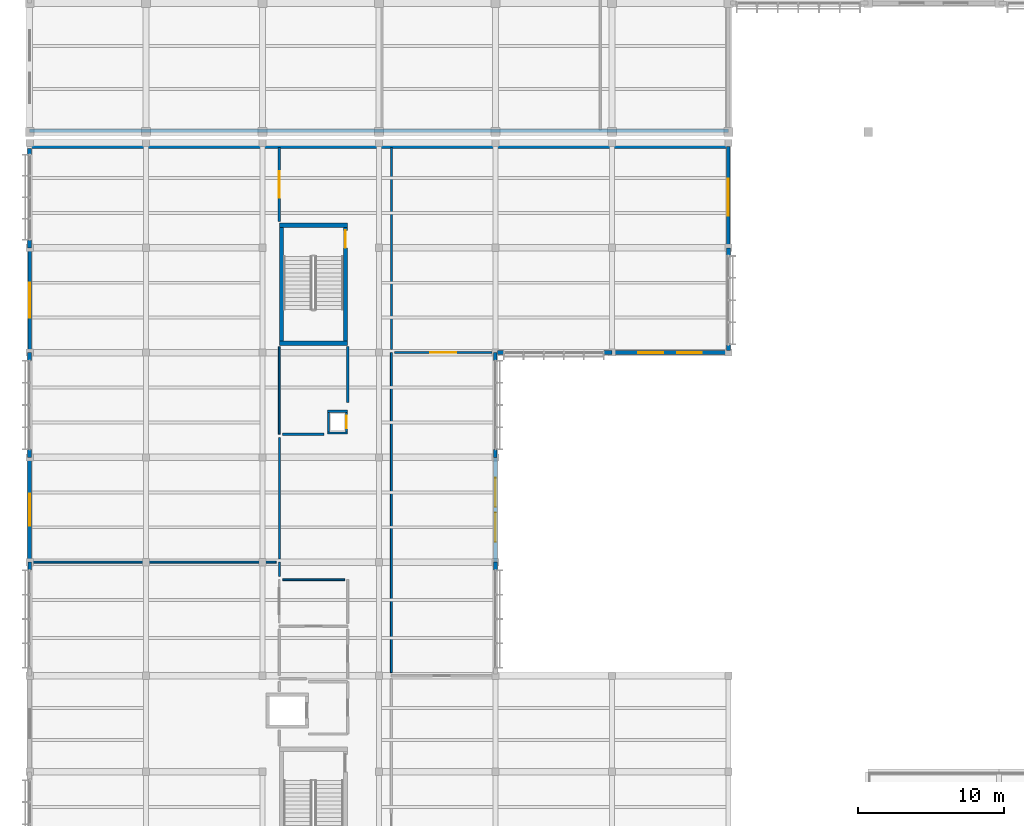
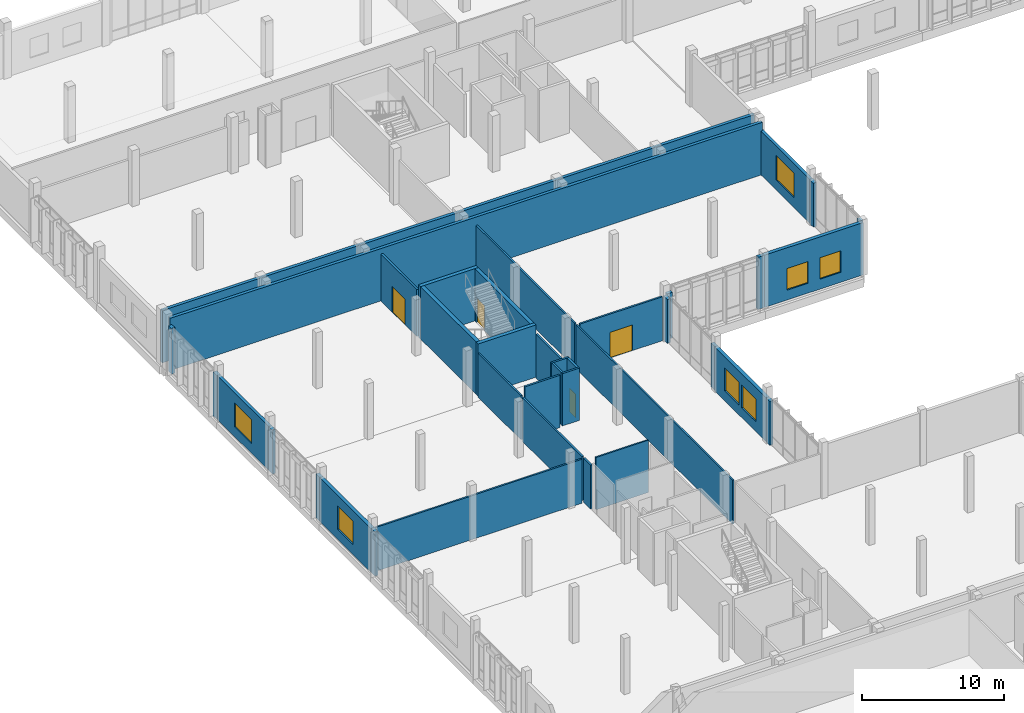
# One storey, part 152 of 177: 38 walls, 7 windows, 4 doors, 11 openings.
"""IFC4 building model written with IfcOpenShell, lengths in metres."""

from ifc_helpers import new_model, si_unit, direction, frame, frame_2d, origin, place, context, subcontext, project, spatial, rectangle, extrude, material, layer, layer_set, type_object, element, fill, save


model = new_model("IFC4")

# Units and contexts
model_context = context("Model", 3, precision=1e-05, world=origin(), true_north=direction((0.0, 1.0)))
body_context = subcontext(model_context, "Body", "Model", "MODEL_VIEW")
ifc_project = project(units=[si_unit("LENGTHUNIT", "METRE"), si_unit("AREAUNIT", "SQUARE_METRE"), si_unit("VOLUMEUNIT", "CUBIC_METRE"), si_unit("PLANEANGLEUNIT", "RADIAN"), si_unit("MASSUNIT", "GRAM", prefix="KILO")], contexts=[model_context])

# Site, building, storey
site_placement = place(None, origin())
site = spatial("IfcSite", under=ifc_project, at=site_placement, CompositionType="ELEMENT")
building_placement = place(site_placement, origin())
building = spatial("IfcBuilding", under=site, at=building_placement, Name="Chiffa Square Polytechnic", CompositionType="ELEMENT")
storey_placement = place(building_placement, frame((0.0, 0.0, 4.800048828125)))
storey = spatial("IfcBuildingStorey", under=building, at=storey_placement, Name="L01", CompositionType="ELEMENT", Elevation=4.800048828125)

# Walls
ifc_material_1 = material(Name="Concrete C40/50", Category="concrete")
ifc_layer_1 = layer(ifc_material_1, 0.300048828125, Name="Concrete C40/50")
ifc_layer_set_1 = layer_set([ifc_layer_1], Name="Concrete C40/50")
wall_type_1 = type_object("IfcWallType", Name="WL-CORE-300", PredefinedType="SHEAR", material=ifc_layer_set_1)
for number, where, z_axis, x_axis, name in (
    (1, (17.14990234375, 80.449951171875, 0.0), (0.0, 0.0, 1.0), (1.0, 0.0, 0.0), "Core or enclosure wall WC-CORE-V6B-L01-SOUTH"),
    (2, (17.14990234375, 88.550048828125, 0.0), (0.0, 0.0, 1.0), (1.0, 0.0, 0.0), "Core or enclosure wall WC-CORE-V6B-L01-NORTH"),
):
    element("IfcWall", number, at=place(storey_placement, frame(where, z_axis=z_axis, x_axis=x_axis)), inside=storey, type_object=wall_type_1, Name=name, PredefinedType="SHEAR", context=body_context, shape_type="SweptSolid", body=[
        extrude(rectangle(XDim=4.7001953125, YDim=0.300048828125, at=frame_2d((2.35009765625, 0.0))), origin(), (0.0, 0.0, 1.0), 4.47998046875),
    ])
wall_1_placement = place(storey_placement, frame((17.300048828125, 80.60009765625, 0.0), z_axis=(0.0, 0.0, 1.0), x_axis=(0.0, 1.0, 0.0)))
element("IfcWall", 3, at=wall_1_placement, inside=storey, type_object=wall_type_1, Name="Core or enclosure wall WC-CORE-V6B-L01-WEST", PredefinedType="SHEAR", context=body_context, shape_type="SweptSolid", body=[
    extrude(rectangle(XDim=7.7998046875, YDim=0.300048828125, at=frame_2d((3.89990234375, 0.0))), origin(), (0.0, 0.0, 1.0), 4.47998046875),
])

# Wall, opening, door
wall_2_placement = place(storey_placement, frame((21.699951171875, 80.60009765625, 0.0), z_axis=(0.0, 0.0, 1.0), x_axis=(0.0, 1.0, 0.0)))
wall_2 = element("IfcWall", 4, at=wall_2_placement, inside=storey, type_object=wall_type_1, Name="Core or enclosure wall WC-CORE-V6B-L01-EAST", PredefinedType="SHEAR", context=body_context, shape_type="SweptSolid", body=[
    extrude(rectangle(XDim=7.7998046875, YDim=0.300048828125, at=frame_2d((3.89990234375, 0.0))), origin(), (0.0, 0.0, 1.0), 4.47998046875),
])
opening_1_placement = place(wall_2_placement, frame((6.39990234375, 0.0, 0.0)))
opening_1 = element("IfcOpeningElement", 5, at=opening_1_placement, cuts=wall_2, Name="Opening DS-L01-052", PredefinedType="OPENING", context=body_context, shape_type="SweptSolid", body=[
    extrude(rectangle(XDim=1.199951171875, YDim=2.14990234375, at=frame_2d((0.60009765625, 1.074951171875))), frame((0.0, 0.16015625, 0.0), z_axis=(0.0, -1.0, 0.0), x_axis=(1.0, 0.0, 0.0)), (0.0, 0.0, 1.0), 0.320068359375),
])
ifc_material_2 = material(Name="Fire-rated painted steel leaf", Category="steel")
door_type_1 = type_object("IfcDoorType", Name="DR-STAIR-1200", OperationType="NOTDEFINED", PredefinedType="DOOR", material=ifc_material_2)
door_1_placement = place(opening_1_placement, origin())
door_1 = element("IfcDoor", 6, at=door_1_placement, inside=storey, type_object=door_type_1, Name="Enclosure door DS-L01-052", OperationType="SINGLE_SWING_RIGHT", OverallHeight=2.14990234375, OverallWidth=1.199951171875, PredefinedType="DOOR", context=body_context, shape_type="SweptSolid", body=[
    extrude(rectangle(XDim=1.199951171875, YDim=2.14990234375, at=frame_2d((0.60009765625, 1.074951171875))), frame((0.0, 0.02490234375, 0.0), z_axis=(0.0, -1.0, 0.0), x_axis=(1.0, 0.0, 0.0)), (0.0, 0.0, 1.0), 0.050048828125),
])
fill(opening_1, door_1)

# Walls
ifc_material_3 = material(Name="Precast concrete C40/50", Category="concrete")
ifc_layer_2 = layer(ifc_material_3, 0.239990234375, Name="Precast concrete C40/50")
ifc_layer_set_2 = layer_set([ifc_layer_2], Name="Precast concrete C40/50")
wall_type_2 = type_object("IfcWallType", Name="WL-EXT-PC240", PredefinedType="SOLIDWALL", material=ifc_layer_set_2)
wall_3_placement = place(storey_placement, frame((32.0, 72.60009765625, 0.0), z_axis=(0.0, 0.0, 1.0), x_axis=(0.0, 1.0, 0.0)))
element("IfcWall", 7, at=wall_3_placement, inside=storey, type_object=wall_type_2, Name="Facade column pier V6-L01-0414L", PredefinedType="SOLIDWALL", context=body_context, shape_type="SweptSolid", body=[
    extrude(rectangle(XDim=0.539794921875, YDim=0.239990234375, at=frame_2d((0.27001953125, 0.0))), origin(), (0.0, 0.0, 1.0), 3.764892578125),
])
wall_4_placement = place(storey_placement, frame((32.0, 79.260009765625, 0.0), z_axis=(0.0, 0.0, 1.0), x_axis=(0.0, 1.0, 0.0)))
element("IfcWall", 8, at=wall_4_placement, inside=storey, type_object=wall_type_2, Name="Facade column pier V6-L01-0414R", PredefinedType="SOLIDWALL", context=body_context, shape_type="SweptSolid", body=[
    extrude(rectangle(XDim=0.5400390625, YDim=0.239990234375, at=frame_2d((0.27001953125, 0.0))), origin(), (0.0, 0.0, 1.0), 3.764892578125),
])

# Wall, opening, window
wall_5_placement = place(storey_placement, frame((48.0, 87.0, 0.0), z_axis=(0.0, 0.0, 1.0), x_axis=(0.0, 1.0, 0.0)))
wall_5 = element("IfcWall", 9, at=wall_5_placement, inside=storey, type_object=wall_type_2, Name="Exterior wall WE-V6-L01-0418", PredefinedType="SOLIDWALL", context=body_context, shape_type="SweptSolid", body=[
    extrude(rectangle(XDim=6.949951171875, YDim=0.239990234375, at=frame_2d((3.47509765625, 0.0))), origin(), (0.0, 0.0, 1.0), 3.764892578125),
])
opening_2_placement = place(wall_5_placement, frame((2.199951171875, 0.0, 0.85009765625)))
opening_2 = element("IfcOpeningElement", 10, at=opening_2_placement, cuts=wall_5, Name="Opening W-09", PredefinedType="OPENING", context=body_context, shape_type="SweptSolid", body=[
    extrude(rectangle(XDim=2.550048828125, YDim=2.10009765625, at=frame_2d((1.27490234375, 1.050048828125))), frame((0.0, 0.1298828125, 0.0), z_axis=(0.0, -1.0, 0.0), x_axis=(1.0, 0.0, 0.0)), (0.0, 0.0, 1.0), 0.260009765625),
])
ifc_material_4 = material(Name="Double glazing in thermally broken aluminium frame", Category="aluminium")
window_type_1 = type_object("IfcWindowType", Name="WIN-STD-2550X2100", PartitioningType="DOUBLE_PANEL_VERTICAL", PredefinedType="WINDOW", material=ifc_material_4)
window_1_placement = place(opening_2_placement, origin())
window_1 = element("IfcWindow", 11, at=window_1_placement, inside=storey, type_object=window_type_1, Name="Facade window WN-L01-0281", OverallHeight=2.10009765625, OverallWidth=2.550048828125, PartitioningType="DOUBLE_PANEL_VERTICAL", PredefinedType="WINDOW", context=body_context, shape_type="SweptSolid", body=[
    extrude(rectangle(XDim=2.550048828125, YDim=2.10009765625, at=frame_2d((1.27490234375, 1.050048828125))), frame((0.0, 0.030029296875, 0.0), z_axis=(0.0, -1.0, 0.0), x_axis=(1.0, 0.0, 0.0)), (0.0, 0.0, 1.0), 0.06005859375),
])
fill(opening_2, window_1)

wall_6_placement = place(storey_placement, frame((0.0, 87.0, 0.0), z_axis=(0.0, 0.0, 1.0), x_axis=(0.0, -1.0, 0.0)))
wall_6 = element("IfcWall", 12, at=wall_6_placement, inside=storey, type_object=wall_type_2, Name="Exterior wall WE-V6-L01-0421", PredefinedType="SOLIDWALL", context=body_context, shape_type="SweptSolid", body=[
    extrude(rectangle(XDim=7.199951171875, YDim=0.239990234375, at=frame_2d((3.60009765625, 0.0))), origin(), (0.0, 0.0, 1.0), 3.764892578125),
])
opening_3_placement = place(wall_6_placement, frame((2.39990234375, 0.0, 0.85009765625)))
opening_3 = element("IfcOpeningElement", 13, at=opening_3_placement, cuts=wall_6, Name="Opening W-10", PredefinedType="OPENING", context=body_context, shape_type="SweptSolid", body=[
    extrude(rectangle(XDim=2.39990234375, YDim=2.050048828125, at=frame_2d((1.199951171875, 1.02490234375))), frame((0.0, 0.1298828125, 0.0), z_axis=(0.0, -1.0, 0.0), x_axis=(1.0, 0.0, 0.0)), (0.0, 0.0, 1.0), 0.260009765625),
])
window_type_2 = type_object("IfcWindowType", Name="WIN-STD-2400X2050", PartitioningType="DOUBLE_PANEL_VERTICAL", PredefinedType="WINDOW", material=ifc_material_4)
window_2_placement = place(opening_3_placement, origin())
window_2 = element("IfcWindow", 14, at=window_2_placement, inside=storey, type_object=window_type_2, Name="Facade window WN-L01-0282", OverallHeight=2.050048828125, OverallWidth=2.39990234375, PartitioningType="DOUBLE_PANEL_VERTICAL", PredefinedType="WINDOW", context=body_context, shape_type="SweptSolid", body=[
    extrude(rectangle(XDim=2.39990234375, YDim=2.050048828125, at=frame_2d((1.199951171875, 1.02490234375))), frame((0.0, 0.030029296875, 0.0), z_axis=(0.0, -1.0, 0.0), x_axis=(1.0, 0.0, 0.0)), (0.0, 0.0, 1.0), 0.06005859375),
])
fill(opening_3, window_2)

# Walls
wall_7_placement = place(storey_placement, frame((0.0, 65.39990234375, 0.0), z_axis=(0.0, 0.0, 1.0), x_axis=(0.0, -1.0, 0.0)))
element("IfcWall", 15, at=wall_7_placement, inside=storey, type_object=wall_type_2, Name="Facade column pier V6-L01-0424L", PredefinedType="SOLIDWALL", context=body_context, shape_type="SweptSolid", body=[
    extrude(rectangle(XDim=0.539794921875, YDim=0.239990234375, at=frame_2d((0.27001953125, 0.0))), origin(), (0.0, 0.0, 1.0), 3.764892578125),
])
ifc_layer_3 = layer(ifc_material_3, 0.260009765625, Name="Precast concrete C40/50")
ifc_layer_set_3 = layer_set([ifc_layer_3], Name="Precast concrete C40/50")
wall_type_3 = type_object("IfcWallType", Name="WL-EXT-PC260", PredefinedType="SOLIDWALL", material=ifc_layer_set_3)
wall_8_placement = place(storey_placement, frame((32.0, 64.860107421875, 0.0), z_axis=(0.0, 0.0, 1.0), x_axis=(0.0, 1.0, 0.0)))
element("IfcWall", 16, at=wall_8_placement, inside=storey, type_object=wall_type_3, Name="Facade column pier V6-L01-0412R", PredefinedType="SOLIDWALL", context=body_context, shape_type="SweptSolid", body=[
    extrude(rectangle(XDim=0.539794921875, YDim=0.260009765625, at=frame_2d((0.27001953125, 0.0))), origin(), (0.0, 0.0, 1.0), 3.764892578125),
])
wall_9_placement = place(storey_placement, frame((32.1220703125, 79.800048828125, 0.0), z_axis=(0.0, 0.0, 1.0), x_axis=(1.0, 0.0, 0.0)))
element("IfcWall", 17, at=wall_9_placement, inside=storey, type_object=wall_type_3, Name="Facade column pier V6-L01-0415L", PredefinedType="SOLIDWALL", context=body_context, shape_type="SweptSolid", body=[
    extrude(rectangle(XDim=0.41796875, YDim=0.260009765625, at=frame_2d((0.208984375, 0.0))), origin(), (0.0, 0.0, 1.0), 3.9150390625),
])
wall_10_placement = place(storey_placement, frame((39.4599609375, 79.800048828125, 0.0), z_axis=(0.0, 0.0, 1.0), x_axis=(1.0, 0.0, 0.0)))
element("IfcWall", 18, at=wall_10_placement, inside=storey, type_object=wall_type_3, Name="Facade column pier V6-L01-0415R", PredefinedType="SOLIDWALL", context=body_context, shape_type="SweptSolid", body=[
    extrude(rectangle(XDim=0.5400390625, YDim=0.260009765625, at=frame_2d((0.27001953125, 0.0))), origin(), (0.0, 0.0, 1.0), 4.47998046875),
])
wall_11_placement = place(storey_placement, frame((0.0, 79.800048828125, 0.0), z_axis=(0.0, 0.0, 1.0), x_axis=(0.0, -1.0, 0.0)))
element("IfcWall", 19, at=wall_11_placement, inside=storey, type_object=wall_type_3, Name="Facade column pier V6-L01-0422L", PredefinedType="SOLIDWALL", context=body_context, shape_type="SweptSolid", body=[
    extrude(rectangle(XDim=0.5400390625, YDim=0.260009765625, at=frame_2d((0.27001953125, 0.0))), origin(), (0.0, 0.0, 1.0), 3.764892578125),
])
wall_12_placement = place(storey_placement, frame((0.0, 73.139892578125, 0.0), z_axis=(0.0, 0.0, 1.0), x_axis=(0.0, -1.0, 0.0)))
element("IfcWall", 20, at=wall_12_placement, inside=storey, type_object=wall_type_3, Name="Facade column pier V6-L01-0422R", PredefinedType="SOLIDWALL", context=body_context, shape_type="SweptSolid", body=[
    extrude(rectangle(XDim=0.539794921875, YDim=0.260009765625, at=frame_2d((0.27001953125, 0.0))), origin(), (0.0, 0.0, 1.0), 3.764892578125),
])

# Wall, openings, windows
ifc_layer_4 = layer(ifc_material_3, 0.280029296875, Name="Precast concrete C40/50")
ifc_layer_set_4 = layer_set([ifc_layer_4], Name="Precast concrete C40/50")
wall_type_4 = type_object("IfcWallType", Name="WL-EXT-PC280", PredefinedType="SOLIDWALL", material=ifc_layer_set_4)
wall_13_placement = place(storey_placement, frame((32.0, 65.39990234375, 0.0), z_axis=(0.0, 0.0, 1.0), x_axis=(0.0, 1.0, 0.0)))
wall_13 = element("IfcWall", 21, at=wall_13_placement, inside=storey, type_object=wall_type_4, Name="Exterior wall WE-V6-L01-0413", PredefinedType="SOLIDWALL", context=body_context, shape_type="SweptSolid", body=[
    extrude(rectangle(XDim=7.2001953125, YDim=0.280029296875, at=frame_2d((3.60009765625, 0.0))), origin(), (0.0, 0.0, 1.0), 3.764892578125),
])
opening_4_placement = place(wall_13_placement, frame((1.39990234375, 0.0, 0.85009765625)))
opening_4 = element("IfcOpeningElement", 22, at=opening_4_placement, cuts=wall_13, Name="Opening W-12", PredefinedType="OPENING", context=body_context, shape_type="SweptSolid", body=[
    extrude(rectangle(XDim=2.0, YDim=1.949951171875, at=frame_2d((1.0, 0.97509765625))), frame((0.0, 0.14990234375, 0.0), z_axis=(0.0, -1.0, 0.0), x_axis=(1.0, 0.0, 0.0)), (0.0, 0.0, 1.0), 0.300048828125),
])
opening_5_placement = place(wall_13_placement, frame((3.800048828125, 0.0, 0.85009765625)))
opening_5 = element("IfcOpeningElement", 23, at=opening_5_placement, cuts=wall_13, Name="Opening W-12", PredefinedType="OPENING", context=body_context, shape_type="SweptSolid", body=[
    extrude(rectangle(XDim=2.0, YDim=1.949951171875, at=frame_2d((1.0, 0.97509765625))), frame((0.0, 0.14990234375, 0.0), z_axis=(0.0, -1.0, 0.0), x_axis=(1.0, 0.0, 0.0)), (0.0, 0.0, 1.0), 0.300048828125),
])
window_type_3 = type_object("IfcWindowType", Name="WIN-STD-2000X1950", PartitioningType="DOUBLE_PANEL_VERTICAL", PredefinedType="WINDOW", material=ifc_material_4)
window_3_placement = place(opening_4_placement, origin())
window_3 = element("IfcWindow", 24, at=window_3_placement, inside=storey, type_object=window_type_3, Name="Facade window WN-L01-0277", OverallHeight=1.949951171875, OverallWidth=2.0, PartitioningType="DOUBLE_PANEL_VERTICAL", PredefinedType="WINDOW", context=body_context, shape_type="SweptSolid", body=[
    extrude(rectangle(XDim=2.0, YDim=1.949951171875, at=frame_2d((1.0, 0.97509765625))), frame((0.0, 0.030029296875, 0.0), z_axis=(0.0, -1.0, 0.0), x_axis=(1.0, 0.0, 0.0)), (0.0, 0.0, 1.0), 0.06005859375),
])
fill(opening_4, window_3)
window_4_placement = place(opening_5_placement, origin())
window_4 = element("IfcWindow", 25, at=window_4_placement, inside=storey, type_object=window_type_3, Name="Facade window WN-L01-0278", OverallHeight=1.949951171875, OverallWidth=2.0, PartitioningType="DOUBLE_PANEL_VERTICAL", PredefinedType="WINDOW", context=body_context, shape_type="SweptSolid", body=[
    extrude(rectangle(XDim=2.0, YDim=1.949951171875, at=frame_2d((1.0, 0.97509765625))), frame((0.0, 0.030029296875, 0.0), z_axis=(0.0, -1.0, 0.0), x_axis=(1.0, 0.0, 0.0)), (0.0, 0.0, 1.0), 0.06005859375),
])
fill(opening_5, window_4)

wall_14_placement = place(storey_placement, frame((40.0, 79.800048828125, 0.0), z_axis=(0.0, 0.0, 1.0), x_axis=(1.0, 0.0, 0.0)))
wall_14 = element("IfcWall", 26, at=wall_14_placement, inside=storey, type_object=wall_type_4, Name="Exterior wall WE-V6-L01-0416", PredefinedType="SOLIDWALL", context=body_context, shape_type="SweptSolid", body=[
    extrude(rectangle(XDim=8.0, YDim=0.280029296875, at=frame_2d((4.0, 0.0))), origin(), (0.0, 0.0, 1.0), 4.47998046875),
])
opening_6_placement = place(wall_14_placement, frame((1.81689453125, 0.0, 0.85009765625)))
opening_6 = element("IfcOpeningElement", 27, at=opening_6_placement, cuts=wall_14, Name="Opening W-14", PredefinedType="OPENING", context=body_context, shape_type="SweptSolid", body=[
    extrude(rectangle(XDim=1.699951171875, YDim=1.85009765625, at=frame_2d((0.85009765625, 0.925048828125))), frame((0.0, 0.14990234375, 0.0), z_axis=(0.0, -1.0, 0.0), x_axis=(1.0, 0.0, 0.0)), (0.0, 0.0, 1.0), 0.300048828125),
])
opening_7_placement = place(wall_14_placement, frame((4.48291015625, 0.0, 0.85009765625)))
opening_7 = element("IfcOpeningElement", 28, at=opening_7_placement, cuts=wall_14, Name="Opening W-14", PredefinedType="OPENING", context=body_context, shape_type="SweptSolid", body=[
    extrude(rectangle(XDim=1.699951171875, YDim=1.85009765625, at=frame_2d((0.85009765625, 0.925048828125))), frame((0.0, 0.14990234375, 0.0), z_axis=(0.0, -1.0, 0.0), x_axis=(1.0, 0.0, 0.0)), (0.0, 0.0, 1.0), 0.300048828125),
])
window_type_4 = type_object("IfcWindowType", Name="WIN-STD-1700X1850", PartitioningType="DOUBLE_PANEL_VERTICAL", PredefinedType="WINDOW", material=ifc_material_4)
window_5_placement = place(opening_6_placement, origin())
window_5 = element("IfcWindow", 29, at=window_5_placement, inside=storey, type_object=window_type_4, Name="Facade window WN-L01-0279", OverallHeight=1.85009765625, OverallWidth=1.699951171875, PartitioningType="DOUBLE_PANEL_VERTICAL", PredefinedType="WINDOW", context=body_context, shape_type="SweptSolid", body=[
    extrude(rectangle(XDim=1.699951171875, YDim=1.85009765625, at=frame_2d((0.85009765625, 0.925048828125))), frame((0.0, 0.030029296875, 0.0), z_axis=(0.0, -1.0, 0.0), x_axis=(1.0, 0.0, 0.0)), (0.0, 0.0, 1.0), 0.06005859375),
])
fill(opening_6, window_5)
window_6_placement = place(opening_7_placement, origin())
window_6 = element("IfcWindow", 30, at=window_6_placement, inside=storey, type_object=window_type_4, Name="Facade window WN-L01-0280", OverallHeight=1.85009765625, OverallWidth=1.699951171875, PartitioningType="DOUBLE_PANEL_VERTICAL", PredefinedType="WINDOW", context=body_context, shape_type="SweptSolid", body=[
    extrude(rectangle(XDim=1.699951171875, YDim=1.85009765625, at=frame_2d((0.85009765625, 0.925048828125))), frame((0.0, 0.030029296875, 0.0), z_axis=(0.0, -1.0, 0.0), x_axis=(1.0, 0.0, 0.0)), (0.0, 0.0, 1.0), 0.06005859375),
])
fill(opening_7, window_6)

# Walls
wall_15_placement = place(storey_placement, frame((48.0, 79.94189453125, 0.0), z_axis=(0.0, 0.0, 1.0), x_axis=(0.0, 1.0, 0.0)))
element("IfcWall", 31, at=wall_15_placement, inside=storey, type_object=wall_type_4, Name="Facade column pier V6-L01-0417L", PredefinedType="SOLIDWALL", context=body_context, shape_type="SweptSolid", body=[
    extrude(rectangle(XDim=0.398193359375, YDim=0.280029296875, at=frame_2d((0.19921875, 0.0))), origin(), (0.0, 0.0, 1.0), 4.47998046875),
])
wall_16_placement = place(storey_placement, frame((48.0, 86.4599609375, 0.0), z_axis=(0.0, 0.0, 1.0), x_axis=(0.0, 1.0, 0.0)))
element("IfcWall", 32, at=wall_16_placement, inside=storey, type_object=wall_type_4, Name="Facade column pier V6-L01-0417R", PredefinedType="SOLIDWALL", context=body_context, shape_type="SweptSolid", body=[
    extrude(rectangle(XDim=0.5400390625, YDim=0.280029296875, at=frame_2d((0.27001953125, 0.0))), origin(), (0.0, 0.0, 1.0), 3.764892578125),
])
wall_17_placement = place(storey_placement, frame((0.0, 93.822998046875, 0.0), z_axis=(0.0, 0.0, 1.0), x_axis=(0.0, -1.0, 0.0)))
element("IfcWall", 33, at=wall_17_placement, inside=storey, type_object=wall_type_4, Name="Facade column pier V6-L01-0420L", PredefinedType="SOLIDWALL", context=body_context, shape_type="SweptSolid", body=[
    extrude(rectangle(XDim=0.4130859375, YDim=0.280029296875, at=frame_2d((0.20654296875, 0.0))), origin(), (0.0, 0.0, 1.0), 3.9150390625),
])
wall_18_placement = place(storey_placement, frame((0.0, 87.5400390625, 0.0), z_axis=(0.0, 0.0, 1.0), x_axis=(0.0, -1.0, 0.0)))
element("IfcWall", 34, at=wall_18_placement, inside=storey, type_object=wall_type_4, Name="Facade column pier V6-L01-0420R", PredefinedType="SOLIDWALL", context=body_context, shape_type="SweptSolid", body=[
    extrude(rectangle(XDim=0.5400390625, YDim=0.280029296875, at=frame_2d((0.27001953125, 0.0))), origin(), (0.0, 0.0, 1.0), 3.764892578125),
])

# Wall, opening, window
wall_19_placement = place(storey_placement, frame((0.0, 72.60009765625, 0.0), z_axis=(0.0, 0.0, 1.0), x_axis=(0.0, -1.0, 0.0)))
wall_19 = element("IfcWall", 35, at=wall_19_placement, inside=storey, type_object=wall_type_4, Name="Exterior wall WE-V6-L01-0423", PredefinedType="SOLIDWALL", context=body_context, shape_type="SweptSolid", body=[
    extrude(rectangle(XDim=7.2001953125, YDim=0.280029296875, at=frame_2d((3.60009765625, 0.0))), origin(), (0.0, 0.0, 1.0), 3.764892578125),
])
opening_8_placement = place(wall_19_placement, frame((2.5, 0.0, 0.85009765625)))
opening_8 = element("IfcOpeningElement", 36, at=opening_8_placement, cuts=wall_19, Name="Opening W-11", PredefinedType="OPENING", context=body_context, shape_type="SweptSolid", body=[
    extrude(rectangle(XDim=2.199951171875, YDim=2.0, at=frame_2d((1.10009765625, 1.0))), frame((0.0, 0.14990234375, 0.0), z_axis=(0.0, -1.0, 0.0), x_axis=(1.0, 0.0, 0.0)), (0.0, 0.0, 1.0), 0.300048828125),
])
window_type_5 = type_object("IfcWindowType", Name="WIN-STD-2200X2000", PartitioningType="DOUBLE_PANEL_VERTICAL", PredefinedType="WINDOW", material=ifc_material_4)
window_7_placement = place(opening_8_placement, origin())
window_7 = element("IfcWindow", 37, at=window_7_placement, inside=storey, type_object=window_type_5, Name="Facade window WN-L01-0283", OverallHeight=2.0, OverallWidth=2.199951171875, PartitioningType="DOUBLE_PANEL_VERTICAL", PredefinedType="WINDOW", context=body_context, shape_type="SweptSolid", body=[
    extrude(rectangle(XDim=2.199951171875, YDim=2.0, at=frame_2d((1.10009765625, 1.0))), frame((0.0, 0.030029296875, 0.0), z_axis=(0.0, -1.0, 0.0), x_axis=(1.0, 0.0, 0.0)), (0.0, 0.0, 1.0), 0.06005859375),
])
fill(opening_8, window_7)

# Walls
ifc_material_5 = material(Name="Gypsum board on steel stud", Category="steel")
ifc_layer_5 = layer(ifc_material_5, 0.125, Name="Gypsum board on steel stud")
ifc_layer_set_5 = layer_set([ifc_layer_5], Name="Gypsum board on steel stud")
wall_type_5 = type_object("IfcWallType", Name="WL-PART-125", PredefinedType="PARTITIONING", material=ifc_layer_set_5)
wall_20_placement = place(storey_placement, frame((24.85009765625, 57.820068359375, 0.0), z_axis=(0.0, 0.0, 1.0), x_axis=(0.0, 1.0, 0.0)))
element("IfcWall", 38, at=wall_20_placement, inside=storey, type_object=wall_type_5, Name="Interior partition WP-V6-L01-0305", PredefinedType="PARTITIONING", context=body_context, shape_type="SweptSolid", body=[
    extrude(rectangle(XDim=21.97998046875, YDim=0.125, at=frame_2d((10.989990234375, 0.0))), origin(), (0.0, 0.0, 1.0), 3.764892578125),
])
wall_21_placement = place(storey_placement, frame((17.14990234375, 74.199951171875, 0.0), z_axis=(0.0, 0.0, 1.0), x_axis=(0.0, 1.0, 0.0)))
element("IfcWall", 39, at=wall_21_placement, inside=storey, type_object=wall_type_5, Name="Interior partition WP-V6-L01-0347", PredefinedType="PARTITIONING", context=body_context, shape_type="SweptSolid", body=[
    extrude(rectangle(XDim=6.010009765625, YDim=0.125, at=frame_2d((3.0048828125, 0.0))), origin(), (0.0, 0.0, 1.0), 3.764892578125),
])
ifc_layer_6 = layer(ifc_material_5, 0.135009765625, Name="Gypsum board on steel stud")
ifc_layer_set_6 = layer_set([ifc_layer_6], Name="Gypsum board on steel stud")
wall_type_6 = type_object("IfcWallType", Name="WL-PART-135", PredefinedType="PARTITIONING", material=ifc_layer_set_6)
wall_22_placement = place(storey_placement, frame((0.054931640625, 65.39990234375, 0.0), z_axis=(0.0, 0.0, 1.0), x_axis=(1.0, 0.0, 0.0)))
element("IfcWall", 40, at=wall_22_placement, inside=storey, type_object=wall_type_6, Name="Interior partition WP-V6-L01-0346", PredefinedType="PARTITIONING", context=body_context, shape_type="SweptSolid", body=[
    extrude(rectangle(XDim=16.875, YDim=0.135009765625, at=frame_2d((8.4375, 0.0))), origin(), (0.0, 0.0, 1.0), 3.764892578125),
])

# Wall, opening, door
ifc_layer_7 = layer(ifc_material_5, 0.14501953125, Name="Gypsum board on steel stud")
ifc_layer_set_7 = layer_set([ifc_layer_7], Name="Gypsum board on steel stud")
wall_type_7 = type_object("IfcWallType", Name="WL-PART-145", PredefinedType="PARTITIONING", material=ifc_layer_set_7)
wall_23_placement = place(storey_placement, frame((25.070068359375, 79.800048828125, 0.0), z_axis=(0.0, 0.0, 1.0), x_axis=(1.0, 0.0, 0.0)))
wall_23 = element("IfcWall", 41, at=wall_23_placement, inside=storey, type_object=wall_type_7, Name="Interior partition WP-V6-L01-0306", PredefinedType="PARTITIONING", context=body_context, shape_type="SweptSolid", body=[
    extrude(rectangle(XDim=6.68994140625, YDim=0.14501953125, at=frame_2d((3.344970703125, 0.0))), origin(), (0.0, 0.0, 1.0), 3.764892578125),
])
opening_9_placement = place(wall_23_placement, frame((2.445068359375, 0.0, 0.0)))
opening_9 = element("IfcOpeningElement", 42, at=opening_9_placement, cuts=wall_23, Name="Opening DI-L01-138", PredefinedType="OPENING", context=body_context, shape_type="SweptSolid", body=[
    extrude(rectangle(XDim=1.800048828125, YDim=2.199951171875, at=frame_2d((0.89990234375, 1.10009765625))), frame((0.0, 0.08251953125, 0.0), z_axis=(0.0, -1.0, 0.0), x_axis=(1.0, 0.0, 0.0)), (0.0, 0.0, 1.0), 0.1650390625),
])
ifc_material_6 = material(Name="Solid oak fire door pair")
door_type_2 = type_object("IfcDoorType", Name="DR-CORR-DBL-1800", OperationType="DOUBLE_DOOR_SINGLE_SWING", PredefinedType="DOOR", material=ifc_material_6)
door_2_placement = place(opening_9_placement, origin())
door_2 = element("IfcDoor", 43, at=door_2_placement, inside=storey, type_object=door_type_2, Name="Interior room door DI-L01-138", OperationType="DOUBLE_DOOR_SINGLE_SWING", OverallHeight=2.199951171875, OverallWidth=1.800048828125, PredefinedType="DOOR", context=body_context, shape_type="SweptSolid", body=[
    extrude(rectangle(XDim=1.800048828125, YDim=2.199951171875, at=frame_2d((0.89990234375, 1.10009765625))), frame((0.0, 0.02490234375, 0.0), z_axis=(0.0, -1.0, 0.0), x_axis=(1.0, 0.0, 0.0)), (0.0, 0.0, 1.0), 0.050048828125),
])
fill(opening_9, door_2)

# Walls
wall_24_placement = place(storey_placement, frame((24.85009765625, 80.02001953125, 0.0), z_axis=(0.0, 0.0, 1.0), x_axis=(0.0, 1.0, 0.0)))
element("IfcWall", 44, at=wall_24_placement, inside=storey, type_object=wall_type_7, Name="Interior partition WP-V6-L01-0327", PredefinedType="PARTITIONING", context=body_context, shape_type="SweptSolid", body=[
    extrude(rectangle(XDim=13.875, YDim=0.14501953125, at=frame_2d((6.9375, 0.0))), origin(), (0.0, 0.0, 1.0), 3.764892578125),
])
wall_25_placement = place(storey_placement, frame((17.14990234375, 64.419921875, 0.0), z_axis=(0.0, 0.0, 1.0), x_axis=(0.0, 1.0, 0.0)))
element("IfcWall", 45, at=wall_25_placement, inside=storey, type_object=wall_type_7, Name="Interior partition WP-V6-L01-0342", PredefinedType="PARTITIONING", context=body_context, shape_type="SweptSolid", body=[
    extrude(rectangle(XDim=0.97998046875, YDim=0.14501953125, at=frame_2d((0.489990234375, 0.0))), origin(), (0.0, 0.0, 1.0), 3.764892578125),
])
wall_26_placement = place(storey_placement, frame((17.14990234375, 65.6201171875, 0.0), z_axis=(0.0, 0.0, 1.0), x_axis=(0.0, 1.0, 0.0)))
element("IfcWall", 46, at=wall_26_placement, inside=storey, type_object=wall_type_7, Name="Interior partition WP-V6-L01-0348", PredefinedType="PARTITIONING", context=body_context, shape_type="SweptSolid", body=[
    extrude(rectangle(XDim=8.35986328125, YDim=0.14501953125, at=frame_2d((4.179931640625, 0.0))), origin(), (0.0, 0.0, 1.0), 3.764892578125),
])
ifc_material_7 = material(Name="Gypsum board on acoustic steel stud", Category="steel")
ifc_layer_8 = layer(ifc_material_7, 0.159912109375, Name="Gypsum board on acoustic steel stud")
ifc_layer_set_8 = layer_set([ifc_layer_8], Name="Gypsum board on acoustic steel stud")
wall_type_8 = type_object("IfcWallType", Name="WL-PART-EI60-160", PredefinedType="PARTITIONING", material=ifc_layer_set_8)
for number, where, z_axis, x_axis, name in (
    (47, (20.449951171875, 74.280029296875, 0.0), (0.0, 0.0, 1.0), (1.0, 0.0, 0.0), "Core or enclosure wall WP-RSR-V6-N-L01-SOUTH"),
    (48, (20.449951171875, 75.77001953125, 0.0), (0.0, 0.0, 1.0), (1.0, 0.0, 0.0), "Core or enclosure wall WP-RSR-V6-N-L01-NORTH"),
):
    element("IfcWall", number, at=place(storey_placement, frame(where, z_axis=z_axis, x_axis=x_axis)), inside=storey, type_object=wall_type_8, Name=name, PredefinedType="PARTITIONING", context=body_context, shape_type="SweptSolid", body=[
        extrude(rectangle(XDim=1.400146484375, YDim=0.159912109375, at=frame_2d((0.7001953125, 0.0))), origin(), (0.0, 0.0, 1.0), 4.47998046875),
    ])
wall_27_placement = place(storey_placement, frame((20.530029296875, 74.360107421875, 0.0), z_axis=(0.0, 0.0, 1.0), x_axis=(0.0, 1.0, 0.0)))
element("IfcWall", 49, at=wall_27_placement, inside=storey, type_object=wall_type_8, Name="Core or enclosure wall WP-RSR-V6-N-L01-WEST", PredefinedType="PARTITIONING", context=body_context, shape_type="SweptSolid", body=[
    extrude(rectangle(XDim=1.329833984375, YDim=0.159912109375, at=frame_2d((0.6650390625, 0.0))), origin(), (0.0, 0.0, 1.0), 4.47998046875),
])

# Wall, opening, door
wall_28_placement = place(storey_placement, frame((21.77001953125, 74.360107421875, 0.0), z_axis=(0.0, 0.0, 1.0), x_axis=(0.0, 1.0, 0.0)))
wall_28 = element("IfcWall", 50, at=wall_28_placement, inside=storey, type_object=wall_type_8, Name="Core or enclosure wall WP-RSR-V6-N-L01-EAST", PredefinedType="PARTITIONING", context=body_context, shape_type="SweptSolid", body=[
    extrude(rectangle(XDim=1.329833984375, YDim=0.159912109375, at=frame_2d((0.6650390625, 0.0))), origin(), (0.0, 0.0, 1.0), 4.47998046875),
])
opening_10_placement = place(wall_28_placement, frame((0.239990234375, 0.0, 0.0)))
opening_10 = element("IfcOpeningElement", 51, at=opening_10_placement, cuts=wall_28, Name="Opening DI-L01-R23", PredefinedType="OPENING", context=body_context, shape_type="SweptSolid", body=[
    extrude(rectangle(XDim=0.85009765625, YDim=2.02001953125, at=frame_2d((0.425048828125, 1.010009765625))), frame((0.0, 0.08984375, 0.0), z_axis=(0.0, -1.0, 0.0), x_axis=(1.0, 0.0, 0.0)), (0.0, 0.0, 1.0), 0.179931640625),
])
ifc_material_8 = material(Name="Fire-rated steel riser access door", Category="steel")
door_type_3 = type_object("IfcDoorType", Name="DR-RISER-850", OperationType="NOTDEFINED", PredefinedType="DOOR", material=ifc_material_8)
door_3_placement = place(opening_10_placement, origin())
door_3 = element("IfcDoor", 52, at=door_3_placement, inside=storey, type_object=door_type_3, Name="Enclosure door DI-L01-R23", OperationType="SINGLE_SWING_LEFT", OverallHeight=2.02001953125, OverallWidth=0.85009765625, PredefinedType="DOOR", context=body_context, shape_type="SweptSolid", body=[
    extrude(rectangle(XDim=0.85009765625, YDim=2.02001953125, at=frame_2d((0.425048828125, 1.010009765625))), frame((0.0, 0.02490234375, 0.0), z_axis=(0.0, -1.0, 0.0), x_axis=(1.0, 0.0, 0.0)), (0.0, 0.0, 1.0), 0.050048828125),
])
fill(opening_10, door_3)

wall_29_placement = place(storey_placement, frame((17.14990234375, 88.7900390625, 0.0), z_axis=(0.0, 0.0, 1.0), x_axis=(0.0, 1.0, 0.0)))
wall_29 = element("IfcWall", 53, at=wall_29_placement, inside=storey, type_object=wall_type_8, Name="Interior partition WP-V6-L01-0317", PredefinedType="PARTITIONING", context=body_context, shape_type="SweptSolid", body=[
    extrude(rectangle(XDim=5.10498046875, YDim=0.159912109375, at=frame_2d((2.552490234375, 0.0))), origin(), (0.0, 0.0, 1.0), 4.02490234375),
])
opening_11_placement = place(wall_29_placement, frame((1.652099609375, 0.0, 0.0)))
opening_11 = element("IfcOpeningElement", 54, at=opening_11_placement, cuts=wall_29, Name="Opening DI-L01-144", PredefinedType="OPENING", context=body_context, shape_type="SweptSolid", body=[
    extrude(rectangle(XDim=1.800048828125, YDim=2.199951171875, at=frame_2d((0.89990234375, 1.10009765625))), frame((0.0, 0.08984375, 0.0), z_axis=(0.0, -1.0, 0.0), x_axis=(1.0, 0.0, 0.0)), (0.0, 0.0, 1.0), 0.179931640625),
])
door_4_placement = place(opening_11_placement, origin())
door_4 = element("IfcDoor", 55, at=door_4_placement, inside=storey, type_object=door_type_2, Name="Interior room door DI-L01-144", OperationType="DOUBLE_DOOR_SINGLE_SWING", OverallHeight=2.199951171875, OverallWidth=1.800048828125, PredefinedType="DOOR", context=body_context, shape_type="SweptSolid", body=[
    extrude(rectangle(XDim=1.800048828125, YDim=2.199951171875, at=frame_2d((0.89990234375, 1.10009765625))), frame((0.0, 0.02490234375, 0.0), z_axis=(0.0, -1.0, 0.0), x_axis=(1.0, 0.0, 0.0)), (0.0, 0.0, 1.0), 0.050048828125),
])
fill(opening_11, door_4)

# Walls
wall_30_placement = place(storey_placement, frame((17.3701171875, 74.199951171875, 0.0), z_axis=(0.0, 0.0, 1.0), x_axis=(1.0, 0.0, 0.0)))
element("IfcWall", 56, at=wall_30_placement, inside=storey, type_object=wall_type_8, Name="Interior partition WP-V6-L01-0377", PredefinedType="PARTITIONING", context=body_context, shape_type="SweptSolid", body=[
    extrude(rectangle(XDim=2.85400390625, YDim=0.159912109375, at=frame_2d((1.427001953125, 0.0))), origin(), (0.0, 0.0, 1.0), 4.47998046875),
])
wall_31_placement = place(storey_placement, frame((21.85009765625, 76.37109375, 0.0), z_axis=(0.0, 0.0, 1.0), x_axis=(0.0, 1.0, 0.0)))
element("IfcWall", 57, at=wall_31_placement, inside=storey, type_object=wall_type_8, Name="Interior partition WP-V6-L01-0378", PredefinedType="PARTITIONING", context=body_context, shape_type="SweptSolid", body=[
    extrude(rectangle(XDim=3.8388671875, YDim=0.159912109375, at=frame_2d((1.91943359375, 0.0))), origin(), (0.0, 0.0, 1.0), 3.764892578125),
])
ifc_material_9 = material(Name="Moisture-resistant board partition")
ifc_layer_9 = layer(ifc_material_9, 0.1201171875, Name="Moisture-resistant board partition")
ifc_layer_set_9 = layer_set([ifc_layer_9], Name="Moisture-resistant board partition")
wall_type_9 = type_object("IfcWallType", Name="WL-PART-WC-120", PredefinedType="PARTITIONING", material=ifc_layer_set_9)
wall_32_placement = place(storey_placement, frame((17.3701171875, 64.199951171875, 0.0), z_axis=(0.0, 0.0, 1.0), x_axis=(1.0, 0.0, 0.0)))
element("IfcWall", 58, at=wall_32_placement, inside=storey, type_object=wall_type_9, Name="Interior partition WP-V6-L01-0255", PredefinedType="PARTITIONING", context=body_context, shape_type="SweptSolid", body=[
    extrude(rectangle(XDim=4.259765625, YDim=0.1201171875, at=frame_2d((2.1298828125, 0.0))), origin(), (0.0, 0.0, 1.0), 4.47998046875),
])
ifc_material_10 = material(Name="Concrete C35/45", Category="concrete")
ifc_layer_10 = layer(ifc_material_10, 0.25, Name="Concrete C35/45")
ifc_layer_set_10 = layer_set([ifc_layer_10], Name="Concrete C35/45")
wall_type_10 = type_object("IfcWallType", Name="WL-SJ-250", PredefinedType="SHEAR", material=ifc_layer_set_10)
for number, where, z_axis, x_axis, name in (
    (59, (0.0, 95.050048828125, 0.0), (0.0, 0.0, 1.0), (1.0, 0.0, 0.0), "Seismic-joint fire wall WE-V5-L01-0257"),
    (60, (48.0, 93.949951171875, 0.0), (0.0, 0.0, 1.0), (-1.0, 0.0, 0.0), "Seismic-joint fire wall WE-V6-L01-0419"),
):
    element("IfcWall", number, at=place(storey_placement, frame(where, z_axis=z_axis, x_axis=x_axis)), inside=storey, type_object=wall_type_10, Name=name, PredefinedType="SHEAR", context=body_context, shape_type="SweptSolid", body=[
        extrude(rectangle(XDim=48.0, YDim=0.25, at=frame_2d((24.0, 0.0))), origin(), (0.0, 0.0, 1.0), 4.47998046875),
    ])

save(model, "model.ifc")
